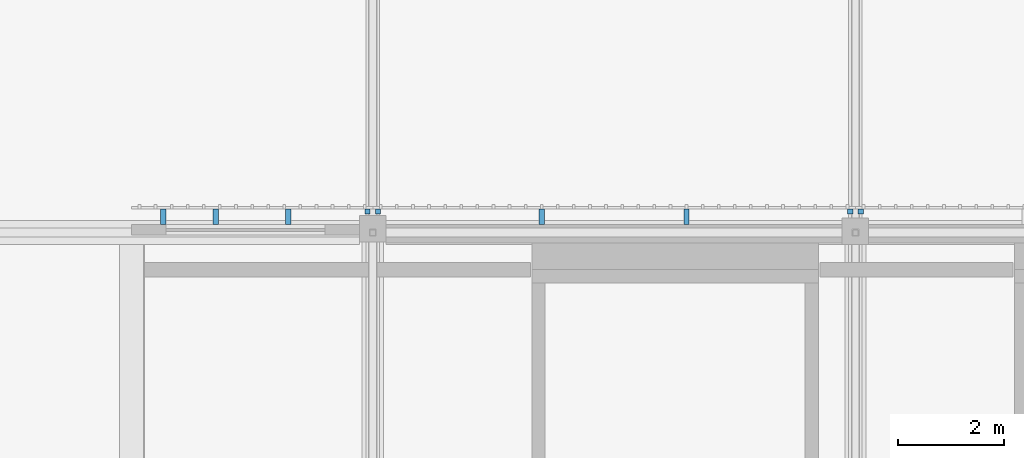
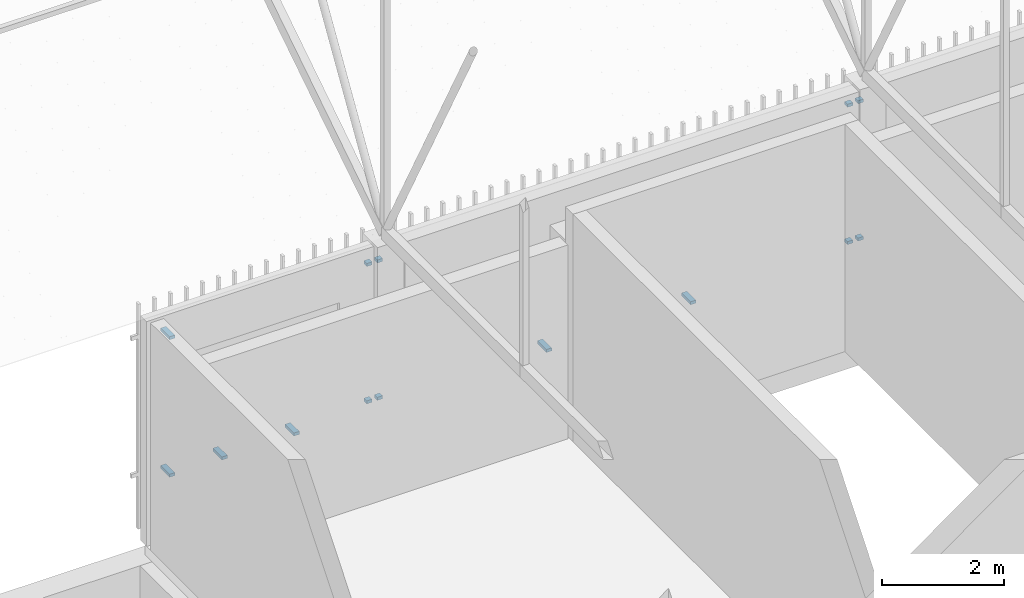
# One storey, part 449 of 500: 14 discrete accessories.
"""IFC4 building model written with IfcOpenShell, lengths in metres."""

from ifc_helpers import new_model, si_unit, direction, frame, origin, origin_2d, place, context, subcontext, project, spatial, rectangle, extrude, material, type_object, element, save


model = new_model("IFC4")

# Units and contexts
model_context = context("Model", 3, precision=1e-05, world=origin(), true_north=direction((0.0, 1.0)))
body_context = subcontext(model_context, "Body", "Model", "MODEL_VIEW")
ifc_project = project(units=[si_unit("LENGTHUNIT", "METRE"), si_unit("AREAUNIT", "SQUARE_METRE"), si_unit("VOLUMEUNIT", "CUBIC_METRE"), si_unit("PLANEANGLEUNIT", "RADIAN"), si_unit("MASSUNIT", "GRAM", prefix="KILO")], contexts=[model_context])

# Site, building, storey
site_placement = place(None, origin())
site = spatial("IfcSite", under=ifc_project, at=site_placement, CompositionType="ELEMENT")
building_placement = place(site_placement, origin())
building = spatial("IfcBuilding", under=site, at=building_placement, Name="Shirokan Park Arena", CompositionType="ELEMENT")
storey_placement = place(building_placement, frame((0.0, 0.0, 29.1201171875)))
storey = spatial("IfcBuildingStorey", under=building, at=storey_placement, Name="L06", CompositionType="ELEMENT", Elevation=29.1201171875)

# Discrete accessories
ifc_material = material(Name="Steel S355", Category="steel")
discrete_accessory_type = type_object("IfcDiscreteAccessoryType", Name="Veil bracket 100x60", PredefinedType="BRACKET", material=ifc_material)
for number, where, z_axis, x_axis, name in (
    (1, (118.39990234375, 109.597412109375, 1.06982421875), (0.0, 0.0, 1.0), (-1.0, 0.0, 0.0), "Veil bracket north bay 3 L06 2"),
    (2, (118.39990234375, 109.597412109375, 3.81982421875), (0.0, 0.0, 1.0), (-1.0, 0.0, 0.0), "Veil bracket north bay 3 L06 4"),
    (3, (118.199951171875, 109.597412109375, 1.06982421875), (0.0, 0.0, 1.0), (-1.0, 0.0, 0.0), "Veil bracket north bay 4 L06 1"),
    (4, (109.300048828125, 109.597412109375, 1.06982421875), (0.0, 0.0, 1.0), (-1.0, 0.0, 0.0), "Veil bracket north bay 4 L06 2"),
    (5, (118.199951171875, 109.597412109375, 3.81982421875), (0.0, 0.0, 1.0), (-1.0, 0.0, 0.0), "Veil bracket north bay 4 L06 3"),
    (6, (109.300048828125, 109.597412109375, 3.81982421875), (0.0, 0.0, 1.0), (-1.0, 0.0, 0.0), "Veil bracket north bay 4 L06 4"),
):
    element("IfcDiscreteAccessory", number, at=place(storey_placement, frame(where, z_axis=z_axis, x_axis=x_axis)), inside=storey, type_object=discrete_accessory_type, Name=name, PredefinedType="BRACKET", context=body_context, shape_type="SweptSolid", body=[
        extrude(rectangle(XDim=0.10009765625, YDim=0.094970703125, at=origin_2d()), origin(), (0.0, 0.0, 1.0), 0.06005859375),
    ])
for number, where, z_axis, x_axis, name in (
    (7, (115.114990234375, 109.49755859375, 1.06982421875), (0.0, 0.0, 1.0), (-1.0, 0.0, 0.0), "Veil bracket north bay 4 L06 wall 1"),
    (8, (112.385009765625, 109.49755859375, 1.06982421875), (0.0, 0.0, 1.0), (-1.0, 0.0, 0.0), "Veil bracket north bay 4 L06 wall 2"),
):
    element("IfcDiscreteAccessory", number, at=place(storey_placement, frame(where, z_axis=z_axis, x_axis=x_axis)), inside=storey, type_object=discrete_accessory_type, Name=name, PredefinedType="BRACKET", context=body_context, shape_type="SweptSolid", body=[
        extrude(rectangle(XDim=0.10009765625, YDim=0.294921875, at=origin_2d()), origin(), (0.0, 0.0, 1.0), 0.06005859375),
    ])
discrete_accessory_1_placement = place(storey_placement, frame((109.10009765625, 109.597412109375, 1.06982421875), z_axis=(0.0, 0.0, 1.0), x_axis=(-1.0, 0.0, 0.0)))
element("IfcDiscreteAccessory", 9, at=discrete_accessory_1_placement, inside=storey, type_object=discrete_accessory_type, Name="Veil bracket north bay 5 L06 1", PredefinedType="BRACKET", context=body_context, shape_type="SweptSolid", body=[
    extrude(rectangle(XDim=0.10009765625, YDim=0.094970703125, at=origin_2d()), origin(), (0.0, 0.0, 1.0), 0.06005859375),
])
discrete_accessory_2_placement = place(storey_placement, frame((105.25, 109.49755859375, 1.06982421875), z_axis=(0.0, 0.0, 1.0), x_axis=(-1.0, 0.0, 0.0)))
element("IfcDiscreteAccessory", 10, at=discrete_accessory_2_placement, inside=storey, type_object=discrete_accessory_type, Name="Veil bracket north bay 5 L06 2", PredefinedType="BRACKET", context=body_context, shape_type="SweptSolid", body=[
    extrude(rectangle(XDim=0.10009765625, YDim=0.294921875, at=origin_2d()), origin(), (0.0, 0.0, 1.0), 0.06005859375),
])
discrete_accessory_3_placement = place(storey_placement, frame((109.10009765625, 109.597412109375, 3.81982421875), z_axis=(0.0, 0.0, 1.0), x_axis=(-1.0, 0.0, 0.0)))
element("IfcDiscreteAccessory", 11, at=discrete_accessory_3_placement, inside=storey, type_object=discrete_accessory_type, Name="Veil bracket north bay 5 L06 3", PredefinedType="BRACKET", context=body_context, shape_type="SweptSolid", body=[
    extrude(rectangle(XDim=0.10009765625, YDim=0.094970703125, at=origin_2d()), origin(), (0.0, 0.0, 1.0), 0.06005859375),
])
for number, where, z_axis, x_axis, name in (
    (12, (105.25, 109.49755859375, 3.81982421875), (0.0, 0.0, 1.0), (-1.0, 0.0, 0.0), "Veil bracket north bay 5 L06 4"),
    (13, (107.607421875, 109.49755859375, 1.06982421875), (0.0, 0.0, 1.0), (-1.0, 0.0, 0.0), "Veil bracket north bay 5 L06 wall 1"),
    (14, (106.242431640625, 109.49755859375, 1.06982421875), (0.0, 0.0, 1.0), (-1.0, 0.0, 0.0), "Veil bracket north bay 5 L06 wall 2"),
):
    element("IfcDiscreteAccessory", number, at=place(storey_placement, frame(where, z_axis=z_axis, x_axis=x_axis)), inside=storey, type_object=discrete_accessory_type, Name=name, PredefinedType="BRACKET", context=body_context, shape_type="SweptSolid", body=[
        extrude(rectangle(XDim=0.10009765625, YDim=0.294921875, at=origin_2d()), origin(), (0.0, 0.0, 1.0), 0.06005859375),
    ])

save(model, "model.ifc")
